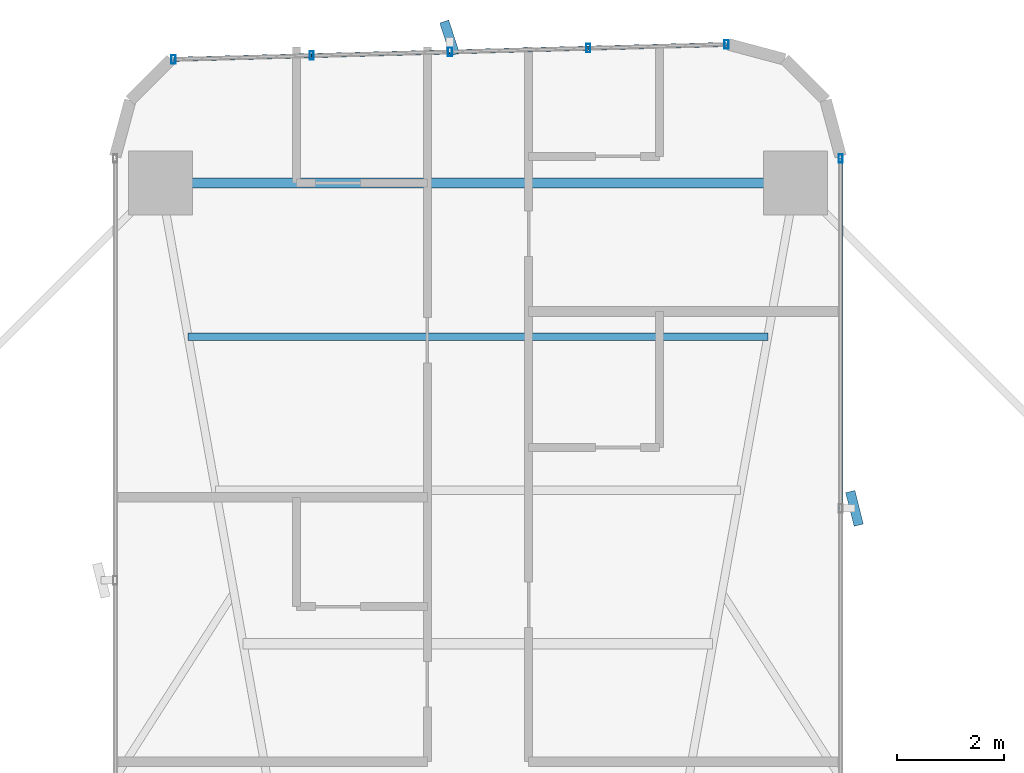
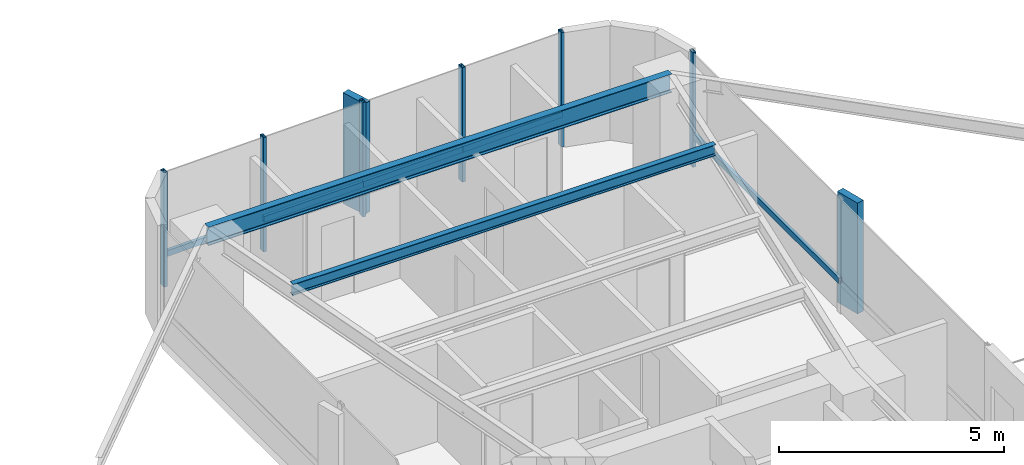
# One storey, part 19 of 26: 13 members, 2 beams, 2 elements without a shape of their own.
"""IFC4 building model written with IfcOpenShell, lengths in metres."""

from ifc_helpers import new_model, si_unit, direction, frame, origin, origin_2d, place, context, subcontext, project, spatial, rectangle, hollow_rectangle, i_section, extrude, source, transform, mapped, material, material_profile, profile_set, type_object, element, aggregate, save


model = new_model("IFC4")

# Units and contexts
model_context = context("Model", 3, precision=1e-05, world=origin(), true_north=direction((0.0, 1.0)))
body_context = subcontext(model_context, "Body", "Model", "MODEL_VIEW")
ifc_project = project(units=[si_unit("LENGTHUNIT", "METRE"), si_unit("AREAUNIT", "SQUARE_METRE"), si_unit("VOLUMEUNIT", "CUBIC_METRE"), si_unit("PLANEANGLEUNIT", "RADIAN"), si_unit("MASSUNIT", "GRAM", prefix="KILO")], contexts=[model_context])

# Site, building, storey
site_placement = place(None, origin())
site = spatial("IfcSite", under=ifc_project, at=site_placement, CompositionType="ELEMENT")
building_placement = place(site_placement, origin())
building = spatial("IfcBuilding", under=site, at=building_placement, Name="Sahyath Konkavel Grand Hotel", CompositionType="ELEMENT")
storey_placement = place(building_placement, frame((0.0, 0.0, 51.050048828125)))
storey = spatial("IfcBuildingStorey", under=building, at=storey_placement, Name="L13", CompositionType="ELEMENT", Elevation=51.050048828125)

# Beams
ifc_material_1 = material(Name="Steel E350", Category="steel")
ifc_material_profile_1 = material_profile(ifc_material_1, i_section(OverallWidth=0.179931640625, OverallDepth=0.5, WebThickness=0.01025390625, FlangeThickness=0.01708984375, FilletRadius=0.01708984375, at=origin_2d()), Name="ISMB 500")
ifc_profile_set_1 = profile_set([ifc_material_profile_1], Name="Steel E350")
beam_type_1 = type_object("IfcBeamType", Name="BM-ISMB500", PredefinedType="BEAM", material=ifc_profile_set_1)
shared_shape_1 = source(origin(), body_context, "Body", "SweptSolid", [
    extrude(i_section(OverallWidth=0.179931640625, OverallDepth=0.5, WebThickness=0.01025390625, FlangeThickness=0.01708984375, FilletRadius=0.01708984375, at=origin_2d()), origin(), (0.0, 0.0, 1.0), 11.89990234375),
])
beam_1_placement = place(storey_placement, frame((5.949951171875, 22.199951171875, 2.85986328125), z_axis=(-1.0, 0.0, 0.0), x_axis=(0.0, -1.0, 0.0)))
element("IfcBeam", 1, at=beam_1_placement, inside=storey, type_object=beam_type_1, Name="L13 Wing Tip Edge Beam N", PredefinedType="BEAM", context=body_context, shape_type="MappedRepresentation", body=[
    mapped(shared_shape_1, transform((0.0, 0.0, 0.0), scale=1.0)),
])
ifc_material_profile_2 = material_profile(ifc_material_1, i_section(OverallWidth=0.139892578125, OverallDepth=0.300048828125, WebThickness=0.0078125, FlangeThickness=0.01318359375, FilletRadius=0.013916015625, at=origin_2d()), Name="ISMB 300")
ifc_profile_set_2 = profile_set([ifc_material_profile_2], Name="Steel E350")
beam_type_2 = type_object("IfcBeamType", Name="BM-ISMB300", PredefinedType="BEAM", material=ifc_profile_set_2)
shared_shape_2 = source(origin(), body_context, "Body", "SweptSolid", [
    extrude(i_section(OverallWidth=0.139892578125, OverallDepth=0.300048828125, WebThickness=0.0078125, FlangeThickness=0.01318359375, FilletRadius=0.013916015625, at=origin_2d()), origin(), (0.0, 0.0, 1.0), 10.8681640625),
])
beam_2_placement = place(storey_placement, frame((5.43408203125, 19.320068359375, 2.9599609375), z_axis=(-1.0, 0.0, 0.0), x_axis=(0.0, -1.0, 0.0)))
element("IfcBeam", 2, at=beam_2_placement, inside=storey, type_object=beam_type_2, Name="L13 Secondary Floor Beam N-3", PredefinedType="BEAM", context=body_context, shape_type="MappedRepresentation", body=[
    mapped(shared_shape_2, transform((0.0, 0.0, 0.0), scale=1.0)),
])

# Curtain wall, member
ifc_material_2 = material(Name="Anodised Bronze Aluminium & Low-E Glazing", Category="aluminium")
curtain_wall_type = type_object("IfcCurtainWallType", Name="CW-ZONE1", PredefinedType="NOTDEFINED", material=ifc_material_2)
curtain_wall_1_placement = place(storey_placement, origin())
curtain_wall_1 = element("IfcCurtainWall", 3, at=curtain_wall_1_placement, inside=storey, type_object=curtain_wall_type, Name="L13 Unitised Curtain Wall F8", PredefinedType="NOTDEFINED")
ifc_material_3 = material(Name="Anodised Bronze Aluminium", Category="aluminium")
ifc_material_profile_3 = material_profile(ifc_material_3, hollow_rectangle(XDim=0.080078125, YDim=0.159912109375, WallThickness=0.006103515625, at=origin_2d()), Name="RHS 160x80x6")
ifc_profile_set_3 = profile_set([ifc_material_profile_3], Name="Anodised Bronze Aluminium")
member_type_1 = type_object("IfcMemberType", Name="CW-MUL-160", PredefinedType="MULLION", material=ifc_profile_set_3)
shared_shape_3 = source(origin(), body_context, "Body", "SweptSolid", [
    extrude(hollow_rectangle(XDim=0.080078125, YDim=0.159912109375, WallThickness=0.006103515625, at=origin_2d()), origin(), (0.0, 0.0, 1.0), 3.10986328125),
])
member_1_placement = place(storey_placement, frame((6.800048828125, 22.659912109375, 0.0), z_axis=(0.0, 0.0, 1.0), x_axis=(1.0, 0.0, 0.0)))
member_1 = element("IfcMember", 4, at=member_1_placement, type_object=member_type_1, Name="L13 Curtain Wall Mullion F8-2", PredefinedType="MULLION", context=body_context, shape_type="MappedRepresentation", body=[
    mapped(shared_shape_3, transform((0.0, 0.0, 0.0), scale=1.0)),
])

# Curtain wall, members
curtain_wall_2_placement = place(storey_placement, origin())
curtain_wall_2 = element("IfcCurtainWall", 5, at=curtain_wall_2_placement, inside=storey, type_object=curtain_wall_type, Name="L13 Unitised Curtain Wall F12", PredefinedType="NOTDEFINED")
member_2_placement = place(storey_placement, frame((4.659912109375, 24.798828125, 0.0), z_axis=(0.0, 0.0, 1.0), x_axis=(1.0, 0.0, 0.0)))
member_2 = element("IfcMember", 6, at=member_2_placement, type_object=member_type_1, Name="L13 Curtain Wall Mullion F12-0", PredefinedType="MULLION", context=body_context, shape_type="MappedRepresentation", body=[
    mapped(shared_shape_3, transform((0.0, 0.0, 0.0), scale=1.0)),
])
member_3_placement = place(storey_placement, frame((2.0673828125, 24.72900390625, 0.0), z_axis=(0.0, 0.0, 1.0), x_axis=(1.0, 0.0, 0.0)))
member_3 = element("IfcMember", 7, at=member_3_placement, type_object=member_type_1, Name="L13 Curtain Wall Mullion F12-1", PredefinedType="MULLION", context=body_context, shape_type="MappedRepresentation", body=[
    mapped(shared_shape_3, transform((0.0, 0.0, 0.0), scale=1.0)),
])
member_4_placement = place(storey_placement, frame((-0.52490234375, 24.6591796875, 0.0), z_axis=(0.0, 0.0, 1.0), x_axis=(1.0, 0.0, 0.0)))
member_4 = element("IfcMember", 8, at=member_4_placement, type_object=member_type_1, Name="L13 Curtain Wall Mullion F12-2", PredefinedType="MULLION", context=body_context, shape_type="MappedRepresentation", body=[
    mapped(shared_shape_3, transform((0.0, 0.0, 0.0), scale=1.0)),
])
member_5_placement = place(storey_placement, frame((-3.117431640625, 24.589599609375, 0.0), z_axis=(0.0, 0.0, 1.0), x_axis=(1.0, 0.0, 0.0)))
member_5 = element("IfcMember", 9, at=member_5_placement, type_object=member_type_1, Name="L13 Curtain Wall Mullion F12-3", PredefinedType="MULLION", context=body_context, shape_type="MappedRepresentation", body=[
    mapped(shared_shape_3, transform((0.0, 0.0, 0.0), scale=1.0)),
])
member_6_placement = place(storey_placement, frame((-5.7099609375, 24.519775390625, 0.0), z_axis=(0.0, 0.0, 1.0), x_axis=(1.0, 0.0, 0.0)))
member_6 = element("IfcMember", 10, at=member_6_placement, type_object=member_type_1, Name="L13 Curtain Wall Mullion F12-4", PredefinedType="MULLION", context=body_context, shape_type="MappedRepresentation", body=[
    mapped(shared_shape_3, transform((0.0, 0.0, 0.0), scale=1.0)),
])

# Member
ifc_material_4 = material(Name="Warm Buff Sandstone Cladding on Concrete C50/60", Category="masonry")
ifc_material_profile_4 = material_profile(ifc_material_4, rectangle(XDim=0.179931640625, YDim=0.64990234375, at=origin_2d()), Name="FIN 180x650")
ifc_profile_set_4 = profile_set([ifc_material_profile_4], Name="Warm Buff Sandstone Cladding on Concrete C50/60")
member_type_2 = type_object("IfcMemberType", Name="FIN-SANDSTONE-650", PredefinedType="MULLION", material=ifc_profile_set_4)
shared_shape_4 = source(origin(), body_context, "Body", "SweptSolid", [
    extrude(rectangle(XDim=0.179931640625, YDim=0.64990234375, at=origin_2d()), origin(), (0.0, 0.0, 1.0), 3.010009765625),
])
member_7_placement = place(storey_placement, frame((7.06005859375, 16.10009765625, 0.050048828125), z_axis=(0.0, 0.0, 1.0), x_axis=(0.969359662404, 0.245645771192, 0.0)))
member_7 = element("IfcMember", 11, at=member_7_placement, type_object=member_type_2, Name="L13 Sandstone Vertical Solar Fin FIN F8-1", PredefinedType="MULLION", context=body_context, shape_type="MappedRepresentation", body=[
    mapped(shared_shape_4, transform((0.0, 0.0, 0.0), scale=1.0)),
])

member_8_placement = place(storey_placement, frame((-0.531982421875, 24.919189453125, 0.050048828125), z_axis=(0.0, 0.0, 1.0), x_axis=(0.951808747363, 0.306692204733, 0.0)))
member_8 = element("IfcMember", 12, at=member_8_placement, type_object=member_type_2, Name="L13 Sandstone Vertical Solar Fin FIN F12-2", PredefinedType="MULLION", context=body_context, shape_type="MappedRepresentation", body=[
    mapped(shared_shape_4, transform((0.0, 0.0, 0.0), scale=1.0)),
])

ifc_material_profile_5 = material_profile(ifc_material_3, hollow_rectangle(XDim=0.080078125, YDim=0.159912109375, WallThickness=0.006103515625, at=origin_2d()), Name="RHS 160x80x6")
ifc_profile_set_5 = profile_set([ifc_material_profile_5], Name="Anodised Bronze Aluminium")
member_type_3 = type_object("IfcMemberType", Name="CW-TRN-160", PredefinedType="USERDEFINED", material=ifc_profile_set_5)
shared_shape_5 = source(origin(), body_context, "Body", "SweptSolid", [
    extrude(hollow_rectangle(XDim=0.080078125, YDim=0.159912109375, WallThickness=0.006103515625, at=origin_2d()), origin(), (0.0, 0.0, 1.0), 2.593505859375),
])
member_9_placement = place(storey_placement, frame((4.659912109375, 24.798828125, 0.849853515625), z_axis=(-0.999637507825, -0.026923093252, 0.0), x_axis=(0.026923093252, -0.999637507825, 0.0)))
member_9 = element("IfcMember", 13, at=member_9_placement, type_object=member_type_3, Name="L13 Curtain Wall Transom F12-0-spandrel", ObjectType="TRANSOM", PredefinedType="USERDEFINED", context=body_context, shape_type="MappedRepresentation", body=[
    mapped(shared_shape_5, transform((0.0, 0.0, 0.0), scale=1.0)),
])

member_10_placement = place(storey_placement, frame((-0.52490234375, 24.6591796875, 0.849853515625), z_axis=(-0.999640036937, -0.02682902444, 0.0), x_axis=(0.02682902444, -0.999640036937, 0.0)))
member_10 = element("IfcMember", 14, at=member_10_placement, type_object=member_type_3, Name="L13 Curtain Wall Transom F12-2-spandrel", ObjectType="TRANSOM", PredefinedType="USERDEFINED", context=body_context, shape_type="MappedRepresentation", body=[
    mapped(shared_shape_5, transform((0.0, 0.0, 0.0), scale=1.0)),
])

member_11_placement = place(storey_placement, frame((-3.117431640625, 24.589599609375, 0.849853515625), z_axis=(-0.999637507825, -0.026923093252, 0.0), x_axis=(0.026923093252, -0.999637507825, 0.0)))
member_11 = element("IfcMember", 15, at=member_11_placement, type_object=member_type_3, Name="L13 Curtain Wall Transom F12-3-spandrel", ObjectType="TRANSOM", PredefinedType="USERDEFINED", context=body_context, shape_type="MappedRepresentation", body=[
    mapped(shared_shape_5, transform((0.0, 0.0, 0.0), scale=1.0)),
])

shared_shape_6 = source(origin(), body_context, "Body", "SweptSolid", [
    extrude(hollow_rectangle(XDim=0.080078125, YDim=0.159912109375, WallThickness=0.006103515625, at=origin_2d()), origin(), (0.0, 0.0, 1.0), 2.59326171875),
])
member_12_placement = place(storey_placement, frame((2.0673828125, 24.72900390625, 0.849853515625), z_axis=(-0.99963743958, -0.026925627022, 0.0), x_axis=(0.026925627022, -0.99963743958, 0.0)))
member_12 = element("IfcMember", 16, at=member_12_placement, type_object=member_type_3, Name="L13 Curtain Wall Transom F12-1-spandrel", ObjectType="TRANSOM", PredefinedType="USERDEFINED", context=body_context, shape_type="MappedRepresentation", body=[
    mapped(shared_shape_6, transform((0.0, 0.0, 0.0), scale=1.0)),
])

aggregate(curtain_wall_2, [member_2, member_3, member_4, member_8, member_5, member_6, member_9, member_12, member_10, member_11])

shared_shape_7 = source(origin(), body_context, "Body", "SweptSolid", [
    extrude(hollow_rectangle(XDim=0.080078125, YDim=0.159912109375, WallThickness=0.006103515625, at=origin_2d()), origin(), (0.0, 0.0, 1.0), 6.559814453125),
])
member_13_placement = place(storey_placement, frame((6.800048828125, 16.10009765625, 0.849853515625), z_axis=(0.0, 1.0, 0.0), x_axis=(-1.0, 0.0, 0.0)))
member_13 = element("IfcMember", 17, at=member_13_placement, type_object=member_type_3, Name="L13 Curtain Wall Transom F8-1-spandrel", ObjectType="TRANSOM", PredefinedType="USERDEFINED", context=body_context, shape_type="MappedRepresentation", body=[
    mapped(shared_shape_7, transform((0.0, 0.0, 0.0), scale=1.0)),
])

aggregate(curtain_wall_1, [member_7, member_1, member_13])

save(model, "model.ifc")
